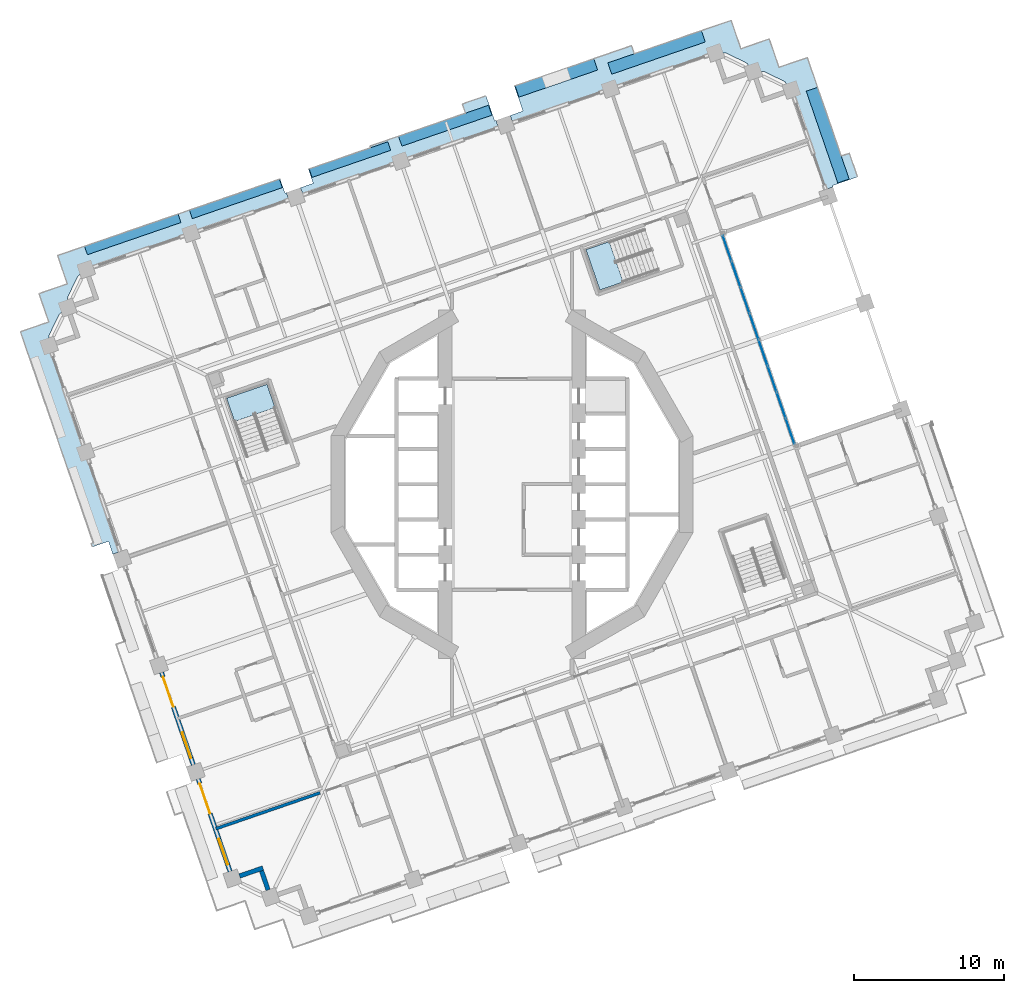
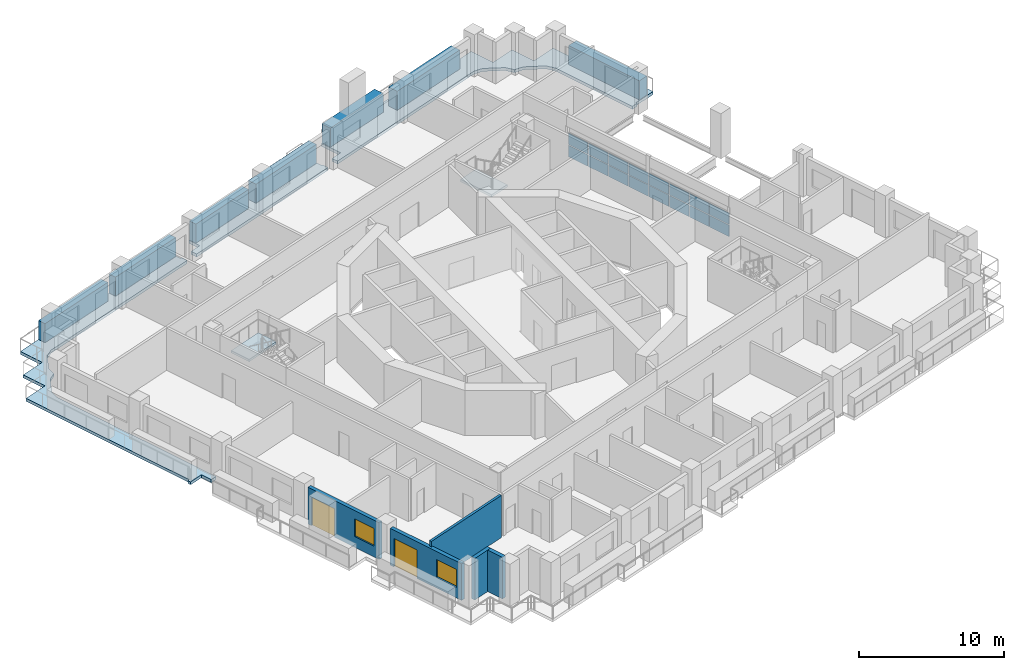
# One storey, part 6 of 19: 23 plates, 5 slabs, 5 walls, 2 doors, 2 windows, 4 openings, 3 elements without a shape of their own.
"""IFC4 building model written with IfcOpenShell, lengths in metres."""

from ifc_helpers import new_model, si_unit, direction, frame, frame_2d, origin, origin_2d, place, context, subcontext, project, spatial, polyline, rectangle, outline, extrude, material, layer, layer_set, type_object, element, fill, aggregate, save


model = new_model("IFC4")

# Units and contexts
model_context = context("Model", 3, precision=1e-05, world=origin(), true_north=direction((0.0, 1.0)))
body_context = subcontext(model_context, "Body", "Model", "MODEL_VIEW")
ifc_project = project(units=[si_unit("LENGTHUNIT", "METRE"), si_unit("AREAUNIT", "SQUARE_METRE"), si_unit("VOLUMEUNIT", "CUBIC_METRE"), si_unit("PLANEANGLEUNIT", "RADIAN"), si_unit("MASSUNIT", "GRAM", prefix="KILO")], contexts=[model_context])

# Site, building, storey
site_placement = place(None, origin())
site = spatial("IfcSite", under=ifc_project, at=site_placement, CompositionType="ELEMENT")
building_placement = place(site_placement, origin())
building = spatial("IfcBuilding", under=site, at=building_placement, Name="Cantera Rosa Tower", CompositionType="ELEMENT")
storey_placement = place(building_placement, frame((0.0, 0.0, 126.89990234375)))
storey = spatial("IfcBuildingStorey", under=building, at=storey_placement, Name="L26", CompositionType="ELEMENT", Elevation=126.89990234375)

# Curtain wall, plates
ifc_material_1 = material(Name="Aluminium frame with clear glass", Category="aluminium")
curtain_wall_type = type_object("IfcCurtainWallType", Name="CW1 TERRACE POCKET GLAZING", PredefinedType="NOTDEFINED", material=ifc_material_1)
curtain_wall_placement = place(storey_placement, origin())
curtain_wall = element("IfcCurtainWall", 1, at=curtain_wall_placement, inside=storey, type_object=curtain_wall_type, Name="CW1 CW1", PredefinedType="NOTDEFINED")
ifc_material_2 = material(Name="Aluminium frame with clear glass", Category="aluminium")
ifc_layer_1 = layer(ifc_material_2, 0.028076171875)
ifc_layer_set_1 = layer_set([ifc_layer_1], Name="CW-PANEL POCKET")
plate_type_1 = type_object("IfcPlateType", Name="CW-PANEL POCKET", PredefinedType="CURTAIN_PANEL", material=ifc_layer_set_1)
plate_1_placement = place(storey_placement, frame((18.558837890625, 3.539306640625, 0.06005859375), z_axis=(0.0, 0.0, 1.0), x_axis=(-0.325568154441, 0.945518575605, 0.0)))
plate_1 = element("IfcPlate", 2, at=plate_1_placement, type_object=plate_type_1, Name="CW1 panel 1.1", PredefinedType="CURTAIN_PANEL", context=body_context, shape_type="SweptSolid", body=[
    extrude(rectangle(XDim=1.7587890625, YDim=0.028076171875, at=origin_2d()), origin(), (0.0, 0.0, 1.0), 0.9619140625),
])
plate_2_placement = place(storey_placement, frame((18.558837890625, 3.539306640625, 1.08203125), z_axis=(0.0, 0.0, 1.0), x_axis=(-0.325568154441, 0.945518575605, 0.0)))
plate_2 = element("IfcPlate", 3, at=plate_2_placement, type_object=plate_type_1, Name="CW1 panel 1.2", PredefinedType="CURTAIN_PANEL", context=body_context, shape_type="SweptSolid", body=[
    extrude(rectangle(XDim=1.7587890625, YDim=0.028076171875, at=origin_2d()), origin(), (0.0, 0.0, 1.0), 0.9619140625),
])
plate_3_placement = place(storey_placement, frame((17.9619140625, 5.273193359375, 0.06005859375), z_axis=(0.0, 0.0, 1.0), x_axis=(-0.325568154441, 0.945518575605, 0.0)))
plate_3 = element("IfcPlate", 4, at=plate_3_placement, type_object=plate_type_1, Name="CW1 panel 2.1", PredefinedType="CURTAIN_PANEL", context=body_context, shape_type="SweptSolid", body=[
    extrude(rectangle(XDim=1.788818359375, YDim=0.028076171875, at=origin_2d()), origin(), (0.0, 0.0, 1.0), 0.9619140625),
])
plate_4_placement = place(storey_placement, frame((17.9619140625, 5.273193359375, 1.08203125), z_axis=(0.0, 0.0, 1.0), x_axis=(-0.325568154441, 0.945518575605, 0.0)))
plate_4 = element("IfcPlate", 5, at=plate_4_placement, type_object=plate_type_1, Name="CW1 panel 2.2", PredefinedType="CURTAIN_PANEL", context=body_context, shape_type="SweptSolid", body=[
    extrude(rectangle(XDim=1.788818359375, YDim=0.028076171875, at=origin_2d()), origin(), (0.0, 0.0, 1.0), 0.9619140625),
])
plate_5_placement = place(storey_placement, frame((17.35986328125, 7.021240234375, 0.06005859375), z_axis=(0.0, 0.0, 1.0), x_axis=(-0.325568154441, 0.945518575605, 0.0)))
plate_5 = element("IfcPlate", 6, at=plate_5_placement, type_object=plate_type_1, Name="CW1 panel 3.1", PredefinedType="CURTAIN_PANEL", context=body_context, shape_type="SweptSolid", body=[
    extrude(rectangle(XDim=1.788818359375, YDim=0.028076171875, at=origin_2d()), origin(), (0.0, 0.0, 1.0), 0.9619140625),
])
plate_6_placement = place(storey_placement, frame((17.35986328125, 7.021240234375, 1.08203125), z_axis=(0.0, 0.0, 1.0), x_axis=(-0.325568154441, 0.945518575605, 0.0)))
plate_6 = element("IfcPlate", 7, at=plate_6_placement, type_object=plate_type_1, Name="CW1 panel 3.2", PredefinedType="CURTAIN_PANEL", context=body_context, shape_type="SweptSolid", body=[
    extrude(rectangle(XDim=1.788818359375, YDim=0.028076171875, at=origin_2d()), origin(), (0.0, 0.0, 1.0), 0.9619140625),
])
plate_7_placement = place(storey_placement, frame((16.758056640625, 8.769287109375, 0.06005859375), z_axis=(0.0, 0.0, 1.0), x_axis=(-0.325568154441, 0.945518575605, 0.0)))
plate_7 = element("IfcPlate", 8, at=plate_7_placement, type_object=plate_type_1, Name="CW1 panel 4.1", PredefinedType="CURTAIN_PANEL", context=body_context, shape_type="SweptSolid", body=[
    extrude(rectangle(XDim=1.788818359375, YDim=0.028076171875, at=origin_2d()), origin(), (0.0, 0.0, 1.0), 0.9619140625),
])
plate_8_placement = place(storey_placement, frame((16.758056640625, 8.769287109375, 1.08203125), z_axis=(0.0, 0.0, 1.0), x_axis=(-0.325568154441, 0.945518575605, 0.0)))
plate_8 = element("IfcPlate", 9, at=plate_8_placement, type_object=plate_type_1, Name="CW1 panel 4.2", PredefinedType="CURTAIN_PANEL", context=body_context, shape_type="SweptSolid", body=[
    extrude(rectangle(XDim=1.788818359375, YDim=0.028076171875, at=origin_2d()), origin(), (0.0, 0.0, 1.0), 0.9619140625),
])
plate_9_placement = place(storey_placement, frame((16.156005859375, 10.517333984375, 0.06005859375), z_axis=(0.0, 0.0, 1.0), x_axis=(-0.325568154441, 0.945518575605, 0.0)))
plate_9 = element("IfcPlate", 10, at=plate_9_placement, type_object=plate_type_1, Name="CW1 panel 5.1", PredefinedType="CURTAIN_PANEL", context=body_context, shape_type="SweptSolid", body=[
    extrude(rectangle(XDim=1.788818359375, YDim=0.028076171875, at=origin_2d()), origin(), (0.0, 0.0, 1.0), 0.9619140625),
])
plate_10_placement = place(storey_placement, frame((16.156005859375, 10.517333984375, 1.08203125), z_axis=(0.0, 0.0, 1.0), x_axis=(-0.325568154441, 0.945518575605, 0.0)))
plate_10 = element("IfcPlate", 11, at=plate_10_placement, type_object=plate_type_1, Name="CW1 panel 5.2", PredefinedType="CURTAIN_PANEL", context=body_context, shape_type="SweptSolid", body=[
    extrude(rectangle(XDim=1.788818359375, YDim=0.028076171875, at=origin_2d()), origin(), (0.0, 0.0, 1.0), 0.9619140625),
])
plate_11_placement = place(storey_placement, frame((15.55419921875, 12.265380859375, 0.06005859375), z_axis=(0.0, 0.0, 1.0), x_axis=(-0.325568154441, 0.945518575605, 0.0)))
plate_11 = element("IfcPlate", 12, at=plate_11_placement, type_object=plate_type_1, Name="CW1 panel 6.1", PredefinedType="CURTAIN_PANEL", context=body_context, shape_type="SweptSolid", body=[
    extrude(rectangle(XDim=1.788818359375, YDim=0.028076171875, at=origin_2d()), origin(), (0.0, 0.0, 1.0), 0.9619140625),
])
plate_12_placement = place(storey_placement, frame((15.55419921875, 12.265380859375, 1.08203125), z_axis=(0.0, 0.0, 1.0), x_axis=(-0.325568154441, 0.945518575605, 0.0)))
plate_12 = element("IfcPlate", 13, at=plate_12_placement, type_object=plate_type_1, Name="CW1 panel 6.2", PredefinedType="CURTAIN_PANEL", context=body_context, shape_type="SweptSolid", body=[
    extrude(rectangle(XDim=1.788818359375, YDim=0.028076171875, at=origin_2d()), origin(), (0.0, 0.0, 1.0), 0.9619140625),
])
plate_13_placement = place(storey_placement, frame((14.952392578125, 14.013427734375, 0.06005859375), z_axis=(0.0, 0.0, 1.0), x_axis=(-0.325568154441, 0.945518575605, 0.0)))
plate_13 = element("IfcPlate", 14, at=plate_13_placement, type_object=plate_type_1, Name="CW1 panel 7.1", PredefinedType="CURTAIN_PANEL", context=body_context, shape_type="SweptSolid", body=[
    extrude(rectangle(XDim=1.788818359375, YDim=0.028076171875, at=origin_2d()), origin(), (0.0, 0.0, 1.0), 0.9619140625),
])
plate_14_placement = place(storey_placement, frame((14.952392578125, 14.013427734375, 1.08203125), z_axis=(0.0, 0.0, 1.0), x_axis=(-0.325568154441, 0.945518575605, 0.0)))
plate_14 = element("IfcPlate", 15, at=plate_14_placement, type_object=plate_type_1, Name="CW1 panel 7.2", PredefinedType="CURTAIN_PANEL", context=body_context, shape_type="SweptSolid", body=[
    extrude(rectangle(XDim=1.788818359375, YDim=0.028076171875, at=origin_2d()), origin(), (0.0, 0.0, 1.0), 0.9619140625),
])
plate_15_placement = place(storey_placement, frame((14.355224609375, 15.7470703125, 0.06005859375), z_axis=(0.0, 0.0, 1.0), x_axis=(-0.325568154441, 0.945518575605, 0.0)))
plate_15 = element("IfcPlate", 16, at=plate_15_placement, type_object=plate_type_1, Name="CW1 panel 8.1", PredefinedType="CURTAIN_PANEL", context=body_context, shape_type="SweptSolid", body=[
    extrude(rectangle(XDim=1.7587890625, YDim=0.028076171875, at=origin_2d()), origin(), (0.0, 0.0, 1.0), 0.9619140625),
])
plate_16_placement = place(storey_placement, frame((14.355224609375, 15.7470703125, 1.08203125), z_axis=(0.0, 0.0, 1.0), x_axis=(-0.325568154441, 0.945518575605, 0.0)))
plate_16 = element("IfcPlate", 17, at=plate_16_placement, type_object=plate_type_1, Name="CW1 panel 8.2", PredefinedType="CURTAIN_PANEL", context=body_context, shape_type="SweptSolid", body=[
    extrude(rectangle(XDim=1.7587890625, YDim=0.028076171875, at=origin_2d()), origin(), (0.0, 0.0, 1.0), 0.9619140625),
])
aggregate(curtain_wall, [plate_1, plate_2, plate_3, plate_4, plate_5, plate_6, plate_7, plate_8, plate_9, plate_10, plate_11, plate_12, plate_13, plate_14, plate_15, plate_16])

# Slabs
ifc_material_3 = material(Name="Concrete C35/45", Category="concrete")
ifc_layer_2 = layer(ifc_material_3, 0.25)
ifc_layer_set_2 = layer_set([ifc_layer_2], Name="LOGGIA SLAB 250 C35/45")
slab_type_1 = type_object("IfcSlabType", Name="LOGGIA SLAB 250 C35/45", PredefinedType="FLOOR", material=ifc_layer_set_2)
slab_1_placement = place(storey_placement, frame((0.0, 0.0, -0.25)))
element("IfcSlab", 18, at=slab_1_placement, inside=storey, type_object=slab_type_1, Name="LOGGIA SLAB L26 1", PredefinedType="FLOOR", context=body_context, shape_type="SweptSolid", body=[
    extrude(outline(polyline([(-29.375, 0.22900390625), (-30.3515625, 3.0654296875), (-32.3115234375, 8.757568359375), (-32.7998046875, 10.17578125), (-31.381591796875, 10.6640625), (-30.908935546875, 10.826904296875), (-31.071533203125, 11.2998046875), (-31.56005859375, 12.718017578125), (-30.1416015625, 13.206298828125), (-29.6689453125, 13.369140625), (-29.831787109375, 13.841796875), (-30.320068359375, 15.260009765625), (-28.90185546875, 15.74853515625), (-23.3232421875, 17.669189453125), (-20.48681640625, 18.64599609375), (-16.326416015625, 20.07861328125), (-15.4755859375, 20.37158203125), (-15.14990234375, 19.426025390625), (-15.055419921875, 19.45849609375), (-14.892578125, 18.98583984375), (-27.55078125, 14.627197265625), (-28.41357421875, 14.330078125), (-28.922119140625, 13.91943359375), (-28.943359375, 13.898681640625), (-28.962158203125, 13.876220703125), (-28.97900390625, 13.85205078125), (-28.9931640625, 13.826171875), (-29.613037109375, 12.55517578125), (-29.62451171875, 12.528076171875), (-29.633544921875, 12.5), (-29.6396484375, 12.47119140625), (-29.642822265625, 12.44189453125), (-29.6533203125, 11.7880859375), (-30.162109375, 11.377197265625), (-30.18310546875, 11.356689453125), (-30.2021484375, 11.333984375), (-30.21875, 11.309814453125), (-30.23291015625, 11.283935546875), (-30.852783203125, 10.012939453125), (-30.864501953125, 9.98583984375), (-30.873291015625, 9.957763671875), (-30.87939453125, 9.928955078125), (-30.8828125, 9.899658203125), (-30.893310546875, 9.245849609375), (-26.159423828125, -4.501953125), (-26.63232421875, -4.664794921875), (-26.92529296875, -3.813720703125), (-28.001708984375, -4.184326171875), (-28.079345703125, -3.958984375), (-27.948486328125, -3.913818359375), (-29.375, 0.22900390625)])), origin(), (0.0, 0.0, 1.0), 0.25),
])
slab_2_placement = place(storey_placement, frame((0.0, 0.0, -0.25)))
element("IfcSlab", 19, at=slab_2_placement, inside=storey, type_object=slab_type_1, Name="LOGGIA SLAB L26 4", PredefinedType="FLOOR", context=body_context, shape_type="SweptSolid", body=[
    extrude(outline(polyline([(-9.47998046875, 22.56103515625), (-3.097900390625, 24.758544921875), (-3.309814453125, 25.37353515625), (-1.73193359375, 25.916748046875), (-1.15625, 24.244384765625), (-1.061767578125, 24.277099609375), (-0.89892578125, 23.80419921875), (-13.947021484375, 19.311279296875), (-14.10986328125, 19.7841796875), (-13.2587890625, 20.0771484375), (-13.58447265625, 21.022705078125), (-13.489990234375, 21.05517578125), (-9.44140625, 22.44921875), (-9.47998046875, 22.56103515625)])), origin(), (0.0, 0.0, 1.0), 0.25),
])
slab_3_placement = place(storey_placement, frame((0.0, 0.0, -0.25)))
element("IfcSlab", 20, at=slab_3_placement, inside=storey, type_object=slab_type_1, Name="LOGGIA SLAB L26 6", PredefinedType="FLOOR", context=body_context, shape_type="SweptSolid", body=[
    extrude(outline(polyline([(13.01416015625, 30.392822265625), (14.62158203125, 30.9462890625), (15.1748046875, 29.3388671875), (15.272705078125, 29.05517578125), (15.556396484375, 29.15283203125), (17.16357421875, 29.706298828125), (17.717041015625, 28.09912109375), (17.814697265625, 27.815185546875), (18.098388671875, 27.9130859375), (19.705810546875, 28.466552734375), (20.25927734375, 26.859130859375), (21.968017578125, 21.896240234375), (22.50830078125, 22.082275390625), (23.05224609375, 20.502197265625), (21.377685546875, 19.92529296875), (21.41015625, 19.830810546875), (20.9375, 19.668212890625), (18.948974609375, 25.443115234375), (18.65185546875, 26.3056640625), (18.240966796875, 26.814453125), (18.220458984375, 26.83544921875), (18.197998046875, 26.8544921875), (18.173583984375, 26.87109375), (18.14794921875, 26.88525390625), (16.876708984375, 27.505126953125), (16.849609375, 27.516845703125), (16.82177734375, 27.525634765625), (16.79296875, 27.53173828125), (16.763671875, 27.534912109375), (16.109619140625, 27.54541015625), (15.698974609375, 28.05419921875), (15.67822265625, 28.075439453125), (15.65576171875, 28.09423828125), (15.631591796875, 28.111083984375), (15.605712890625, 28.125), (14.334716796875, 28.7451171875), (14.3076171875, 28.756591796875), (14.279541015625, 28.765625), (14.250732421875, 28.771728515625), (14.221435546875, 28.77490234375), (13.567626953125, 28.785400390625), (0.046630859375, 24.1298828125), (-0.1162109375, 24.6025390625), (0.73486328125, 24.8955078125), (0.158935546875, 26.56787109375), (7.977294921875, 29.260009765625), (8.162353515625, 28.72216796875), (13.01416015625, 30.392822265625)])), origin(), (0.0, 0.0, 1.0), 0.25),
])

# Plates
ifc_material_4 = material(Name="Cantera stone planter with soil", Category="masonry")
plate_type_2 = type_object("IfcPlateType", Name="PLANTER 600", PredefinedType="USERDEFINED", material=ifc_material_4)
plate_17_placement = place(storey_placement, frame((-10.815673828125, 21.65869140625, 0.0), z_axis=(0.0, 0.0, 1.0), x_axis=(-0.945518575599, -0.325568154457, 0.0)))
element("IfcPlate", 21, at=plate_17_placement, inside=storey, type_object=plate_type_2, Name="PLANTER L26-09", ObjectType="PLANTER", PredefinedType="USERDEFINED", context=body_context, shape_type="SweptSolid", body=[
    extrude(rectangle(XDim=5.550048828125, YDim=0.60009765625, at=origin_2d()), origin(), (0.0, 0.0, 1.0), 1.60009765625),
])
plate_18_placement = place(storey_placement, frame((-18.427001953125, 19.037841796875, 0.0), z_axis=(0.0, 0.0, 1.0), x_axis=(-0.945518575599, -0.325568154457, 0.0)))
element("IfcPlate", 22, at=plate_18_placement, inside=storey, type_object=plate_type_2, Name="PLANTER L26-10", ObjectType="PLANTER", PredefinedType="USERDEFINED", context=body_context, shape_type="SweptSolid", body=[
    extrude(rectangle(XDim=6.35009765625, YDim=0.60009765625, at=origin_2d()), origin(), (0.0, 0.0, 1.0), 1.60009765625),
])
plate_19_placement = place(storey_placement, frame((-25.3056640625, 16.66943359375, 0.0), z_axis=(0.0, 0.0, 1.0), x_axis=(-0.945518575599, -0.325568154457, 0.0)))
element("IfcPlate", 23, at=plate_19_placement, inside=storey, type_object=plate_type_2, Name="PLANTER L26-11", ObjectType="PLANTER", PredefinedType="USERDEFINED", context=body_context, shape_type="SweptSolid", body=[
    extrude(rectangle(XDim=6.60009765625, YDim=0.60009765625, at=origin_2d()), origin(), (0.0, 0.0, 1.0), 1.60009765625),
])
ifc_material_5 = material(Name="Cantera stone planter with soil", Category="masonry")
plate_type_3 = type_object("IfcPlateType", Name="PLANTER 700", PredefinedType="USERDEFINED", material=ifc_material_5)
plate_20_placement = place(storey_placement, frame((-4.45556640625, 23.9208984375, 0.0), z_axis=(0.0, 0.0, 1.0), x_axis=(-0.945518575599, -0.325568154457, 0.0)))
element("IfcPlate", 24, at=plate_20_placement, inside=storey, type_object=plate_type_3, Name="PLANTER L26-08", ObjectType="PLANTER", PredefinedType="USERDEFINED", context=body_context, shape_type="SweptSolid", body=[
    extrude(rectangle(XDim=6.35009765625, YDim=0.699951171875, at=origin_2d()), origin(), (0.0, 0.0, 1.0), 1.60009765625),
])
ifc_material_6 = material(Name="Cantera stone planter with soil", Category="masonry")
plate_type_4 = type_object("IfcPlateType", Name="PLANTER 800", PredefinedType="USERDEFINED", material=ifc_material_6)
plate_21_placement = place(storey_placement, frame((21.064453125, 23.2919921875, 0.0), z_axis=(0.0, 0.0, 1.0), x_axis=(-0.325568154457, 0.945518575599, 0.0)))
element("IfcPlate", 25, at=plate_21_placement, inside=storey, type_object=plate_type_4, Name="PLANTER L26-05", ObjectType="PLANTER", PredefinedType="USERDEFINED", context=body_context, shape_type="SweptSolid", body=[
    extrude(rectangle(XDim=6.469970703125, YDim=0.800048828125, at=origin_2d()), origin(), (0.0, 0.0, 1.0), 1.60009765625),
])
plate_22_placement = place(storey_placement, frame((9.64599609375, 28.81005859375, 0.0), z_axis=(0.0, 0.0, 1.0), x_axis=(-0.945518575599, -0.325568154457, 0.0)))
element("IfcPlate", 26, at=plate_22_placement, inside=storey, type_object=plate_type_4, Name="PLANTER L26-06", ObjectType="PLANTER", PredefinedType="USERDEFINED", context=body_context, shape_type="SweptSolid", body=[
    extrude(rectangle(XDim=6.60009765625, YDim=0.800048828125, at=origin_2d()), origin(), (0.0, 0.0, 1.0), 1.60009765625),
])
plate_23_placement = place(storey_placement, frame((2.960205078125, 27.109375, 0.0), z_axis=(0.0, 0.0, 1.0), x_axis=(-0.945518575599, -0.325568154457, 0.0)))
element("IfcPlate", 27, at=plate_23_placement, inside=storey, type_object=plate_type_4, Name="PLANTER L26-07", ObjectType="PLANTER", PredefinedType="USERDEFINED", context=body_context, shape_type="SweptSolid", body=[
    extrude(rectangle(XDim=5.550048828125, YDim=0.800048828125, at=origin_2d()), origin(), (0.0, 0.0, 1.0), 1.60009765625),
])

# Stair, slab
ifc_material_7 = material(Name="Concrete C35/45", Category="concrete")
stair_type = type_object("IfcStairType", Name="EXIT STAIR 1350 DOGLEG", PredefinedType="HALF_TURN_STAIR", material=ifc_material_7)
stair_1_placement = place(storey_placement, origin())
stair_1 = element("IfcStair", 28, at=stair_1_placement, inside=storey, type_object=stair_type, Name="L26 ST-21", PredefinedType="HALF_TURN_STAIR")
ifc_material_8 = material(Name="Concrete C35/45", Category="concrete")
ifc_layer_3 = layer(ifc_material_8, 0.199951171875)
ifc_layer_set_3 = layer_set([ifc_layer_3], Name="STAIR LANDING 200")
slab_type_2 = type_object("IfcSlabType", Name="STAIR LANDING 200", PredefinedType="LANDING", material=ifc_layer_set_3)
slab_4_placement = place(storey_placement, frame((0.0, 0.0, 1.7001953125)))
slab_4 = element("IfcSlab", 29, at=slab_4_placement, type_object=slab_type_2, Name="ST-21 landing 1", PredefinedType="LANDING", context=body_context, shape_type="SweptSolid", body=[
    extrude(outline(polyline([(6.488525390625, 16.1865234375), (4.935791015625, 15.652099609375), (5.86376953125, 12.957275390625), (7.416259765625, 13.491943359375), (6.488525390625, 16.1865234375)])), origin(), (0.0, 0.0, 1.0), 0.199951171875),
])
aggregate(stair_1, [slab_4])

stair_2_placement = place(storey_placement, origin())
stair_2 = element("IfcStair", 30, at=stair_2_placement, inside=storey, type_object=stair_type, Name="L26 ST-22", PredefinedType="HALF_TURN_STAIR")
slab_5_placement = place(storey_placement, frame((0.0, 0.0, 1.7001953125)))
slab_5 = element("IfcSlab", 31, at=slab_5_placement, type_object=slab_type_2, Name="ST-22 landing 1", PredefinedType="LANDING", context=body_context, shape_type="SweptSolid", body=[
    extrude(outline(polyline([(-15.8134765625, 5.111572265625), (-16.347900390625, 6.6640625), (-19.042724609375, 5.736328125), (-18.508056640625, 4.18359375), (-15.8134765625, 5.111572265625)])), origin(), (0.0, 0.0, 1.0), 0.199951171875),
])
aggregate(stair_2, [slab_5])

# Walls
ifc_material_9 = material(Name="Hollow clay masonry with cantera stone cladding", Category="masonry")
ifc_layer_4 = layer(ifc_material_9, 0.300048828125)
ifc_layer_set_4 = layer_set([ifc_layer_4], Name="EW-LOGGIA 300")
wall_type_1 = type_object("IfcWallType", Name="EW-LOGGIA 300", PredefinedType="SOLIDWALL", material=ifc_layer_set_4)
wall_1_placement = place(storey_placement, frame((-18.17919921875, -26.142822265625, 0.0), z_axis=(0.0, 0.0, 1.0), x_axis=(0.945530119553, 0.32553462645, 0.0)))
element("IfcWall", 32, at=wall_1_placement, inside=storey, type_object=wall_type_1, Name="EN-L26-W21a", PredefinedType="SOLIDWALL", context=body_context, shape_type="SweptSolid", body=[
    extrude(rectangle(XDim=1.64990234375, YDim=0.300048828125, at=frame_2d((0.824951171875, 0.0))), origin(), (0.0, 0.0, 1.0), 3.5),
])
wall_2_placement = place(storey_placement, frame((-16.7119140625, -25.79638671875, 0.0), z_axis=(0.0, 0.0, 1.0), x_axis=(0.325544748006, -0.945526634763, 0.0)))
element("IfcWall", 33, at=wall_2_placement, inside=storey, type_object=wall_type_1, Name="EN-L26-W21b", PredefinedType="SOLIDWALL", context=body_context, shape_type="SweptSolid", body=[
    extrude(rectangle(XDim=1.349853515625, YDim=0.300048828125, at=frame_2d((0.6748046875, 0.0))), origin(), (0.0, 0.0, 1.0), 3.5),
])

# Wall, openings, window, door
ifc_material_10 = material(Name="Hollow clay masonry with cantera stone cladding", Category="masonry")
ifc_layer_5 = layer(ifc_material_10, 0.300048828125)
ifc_layer_set_5 = layer_set([ifc_layer_5], Name="EW-LOGGIA 300 H3090")
wall_type_2 = type_object("IfcWallType", Name="EW-LOGGIA 300 H3090", PredefinedType="SOLIDWALL", material=ifc_layer_set_5)
wall_3_placement = place(storey_placement, frame((-23.3857421875, -12.557861328125, 0.0), z_axis=(0.0, 0.0, 1.0), x_axis=(0.325580990241, -0.945514155787, 0.0)))
wall_3 = element("IfcWall", 34, at=wall_3_placement, inside=storey, type_object=wall_type_2, Name="EN-L26-W19", PredefinedType="SOLIDWALL", context=body_context, shape_type="SweptSolid", body=[
    extrude(rectangle(XDim=6.52001953125, YDim=0.300048828125, at=frame_2d((3.260009765625, 0.0))), origin(), (0.0, 0.0, 1.0), 3.090087890625),
])
opening_1_placement = place(wall_3_placement, frame((0.330078125, 0.0, 0.0)))
opening_1 = element("IfcOpeningElement", 35, at=opening_1_placement, cuts=wall_3, Name="Opening L26-TD25", PredefinedType="OPENING", context=body_context, shape_type="SweptSolid", body=[
    extrude(rectangle(XDim=2.10009765625, YDim=2.39990234375, at=frame_2d((1.050048828125, 1.199951171875))), frame((0.0, 0.159912109375, 0.0), z_axis=(0.0, -1.0, 0.0), x_axis=(1.0, 0.0, 0.0)), (0.0, 0.0, 1.0), 0.320068359375),
])
opening_2_placement = place(wall_3_placement, frame((4.239990234375, 0.0, 0.89990234375)))
opening_2 = element("IfcOpeningElement", 36, at=opening_2_placement, cuts=wall_3, Name="Opening L26-W26", PredefinedType="OPENING", context=body_context, shape_type="SweptSolid", body=[
    extrude(rectangle(XDim=1.800048828125, YDim=1.5, at=frame_2d((0.89990234375, 0.75))), frame((0.0, 0.159912109375, 0.0), z_axis=(0.0, -1.0, 0.0), x_axis=(1.0, 0.0, 0.0)), (0.0, 0.0, 1.0), 0.320068359375),
])
ifc_material_11 = material(Name="Aluminium frame with clear glass", Category="aluminium")
window_type = type_object("IfcWindowType", Name="Hotel room window 1800x1500", PartitioningType="DOUBLE_PANEL_VERTICAL", PredefinedType="WINDOW", material=ifc_material_11)
window_1_placement = place(opening_2_placement, origin())
window_1 = element("IfcWindow", 37, at=window_1_placement, inside=storey, type_object=window_type, Name="WINDOW L26-W26", OverallHeight=1.5, OverallWidth=1.800048828125, PartitioningType="SINGLE_PANEL", PredefinedType="WINDOW", context=body_context, shape_type="SweptSolid", body=[
    extrude(rectangle(XDim=1.800048828125, YDim=1.5, at=frame_2d((0.89990234375, 0.75))), frame((0.0, 0.030029296875, 0.0), z_axis=(0.0, -1.0, 0.0), x_axis=(1.0, 0.0, 0.0)), (0.0, 0.0, 1.0), 0.06005859375),
])
fill(opening_2, window_1)
ifc_material_12 = material(Name="Aluminium frame with clear glass", Category="aluminium")
door_type = type_object("IfcDoorType", Name="TD-H 2100x2400", OperationType="NOTDEFINED", PredefinedType="DOOR", material=ifc_material_12)
door_1_placement = place(opening_1_placement, origin())
door_1 = element("IfcDoor", 38, at=door_1_placement, inside=storey, type_object=door_type, Name="LOGGIA DOOR L26-TD25", OperationType="SLIDING_TO_LEFT", OverallHeight=2.39990234375, OverallWidth=2.10009765625, PredefinedType="DOOR", context=body_context, shape_type="SweptSolid", body=[
    extrude(rectangle(XDim=2.10009765625, YDim=2.39990234375, at=frame_2d((1.050048828125, 1.199951171875))), frame((0.0, 0.02490234375, 0.0), z_axis=(0.0, -1.0, 0.0), x_axis=(1.0, 0.0, 0.0)), (0.0, 0.0, 1.0), 0.050048828125),
])
fill(opening_1, door_1)

wall_4_placement = place(storey_placement, frame((-20.9375, -19.668212890625, 0.0), z_axis=(0.0, 0.0, 1.0), x_axis=(0.325592517631, -0.945510186335, 0.0)))
wall_4 = element("IfcWall", 39, at=wall_4_placement, inside=storey, type_object=wall_type_2, Name="EN-L26-W20", PredefinedType="SOLIDWALL", context=body_context, shape_type="SweptSolid", body=[
    extrude(rectangle(XDim=6.519775390625, YDim=0.300048828125, at=frame_2d((3.259765625, 0.0))), origin(), (0.0, 0.0, 1.0), 3.090087890625),
])
opening_3_placement = place(wall_4_placement, frame((0.330078125, 0.0, 0.0)))
opening_3 = element("IfcOpeningElement", 40, at=opening_3_placement, cuts=wall_4, Name="Opening L26-TD27", PredefinedType="OPENING", context=body_context, shape_type="SweptSolid", body=[
    extrude(rectangle(XDim=2.10009765625, YDim=2.39990234375, at=frame_2d((1.050048828125, 1.199951171875))), frame((0.0, 0.159912109375, 0.0), z_axis=(0.0, -1.0, 0.0), x_axis=(1.0, 0.0, 0.0)), (0.0, 0.0, 1.0), 0.320068359375),
])
opening_4_placement = place(wall_4_placement, frame((4.239990234375, 0.0, 0.89990234375)))
opening_4 = element("IfcOpeningElement", 41, at=opening_4_placement, cuts=wall_4, Name="Opening L26-W28", PredefinedType="OPENING", context=body_context, shape_type="SweptSolid", body=[
    extrude(rectangle(XDim=1.800048828125, YDim=1.5, at=frame_2d((0.89990234375, 0.75))), frame((0.0, 0.159912109375, 0.0), z_axis=(0.0, -1.0, 0.0), x_axis=(1.0, 0.0, 0.0)), (0.0, 0.0, 1.0), 0.320068359375),
])
window_2_placement = place(opening_4_placement, origin())
window_2 = element("IfcWindow", 42, at=window_2_placement, inside=storey, type_object=window_type, Name="WINDOW L26-W28", OverallHeight=1.5, OverallWidth=1.800048828125, PartitioningType="SINGLE_PANEL", PredefinedType="WINDOW", context=body_context, shape_type="SweptSolid", body=[
    extrude(rectangle(XDim=1.800048828125, YDim=1.5, at=frame_2d((0.89990234375, 0.75))), frame((0.0, 0.030029296875, 0.0), z_axis=(0.0, -1.0, 0.0), x_axis=(1.0, 0.0, 0.0)), (0.0, 0.0, 1.0), 0.06005859375),
])
fill(opening_4, window_2)
door_2_placement = place(opening_3_placement, origin())
door_2 = element("IfcDoor", 43, at=door_2_placement, inside=storey, type_object=door_type, Name="LOGGIA DOOR L26-TD27", OperationType="SLIDING_TO_LEFT", OverallHeight=2.39990234375, OverallWidth=2.10009765625, PredefinedType="DOOR", context=body_context, shape_type="SweptSolid", body=[
    extrude(rectangle(XDim=2.10009765625, YDim=2.39990234375, at=frame_2d((1.050048828125, 1.199951171875))), frame((0.0, 0.02490234375, 0.0), z_axis=(0.0, -1.0, 0.0), x_axis=(1.0, 0.0, 0.0)), (0.0, 0.0, 1.0), 0.050048828125),
])
fill(opening_3, door_2)

# Wall
ifc_material_13 = material(Name="Gypsum board partition")
ifc_layer_6 = layer(ifc_material_13, 0.199951171875)
ifc_layer_set_6 = layer_set([ifc_layer_6], Name="PARTY WALL 200 H3550")
wall_type_3 = type_object("IfcWallType", Name="PARTY WALL 200 H3550", PredefinedType="PARTITIONING", material=ifc_layer_set_6)
wall_5_placement = place(storey_placement, frame((-19.762939453125, -22.986572265625, 0.0), z_axis=(0.0, 0.0, 1.0), x_axis=(0.945511269654, 0.32558937169, 0.0)))
element("IfcWall", 44, at=wall_5_placement, inside=storey, type_object=wall_type_3, Name="PARTY WALL L26-006", PredefinedType="PARTITIONING", context=body_context, shape_type="SweptSolid", body=[
    extrude(rectangle(XDim=7.349853515625, YDim=0.199951171875, at=frame_2d((3.6748046875, 0.0))), origin(), (0.0, 0.0, 1.0), 3.550048828125),
])

save(model, "model.ifc")
